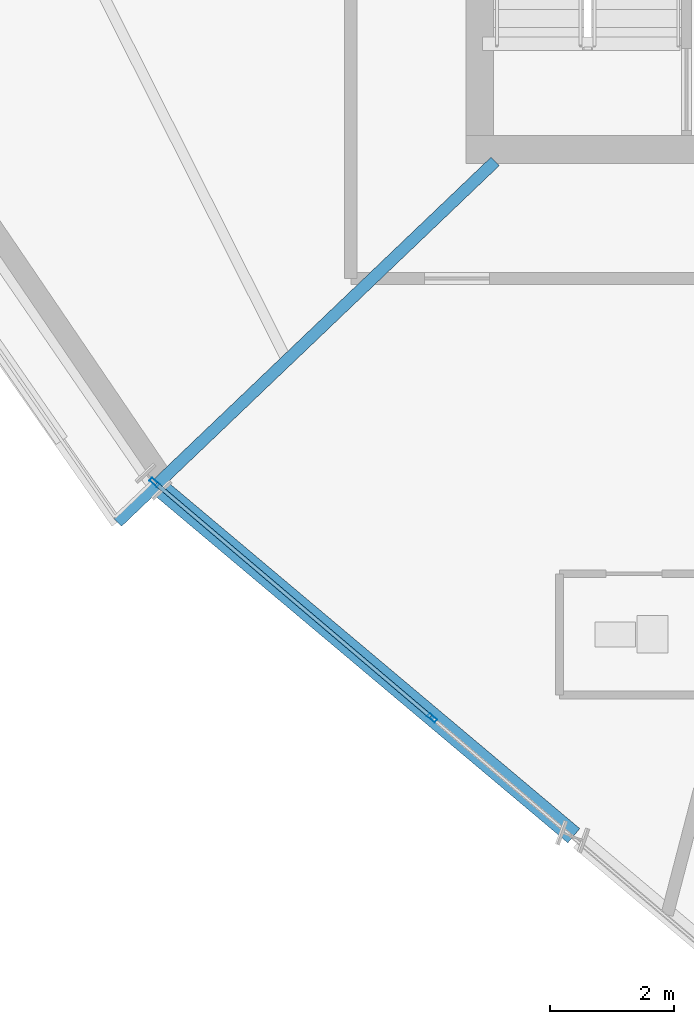
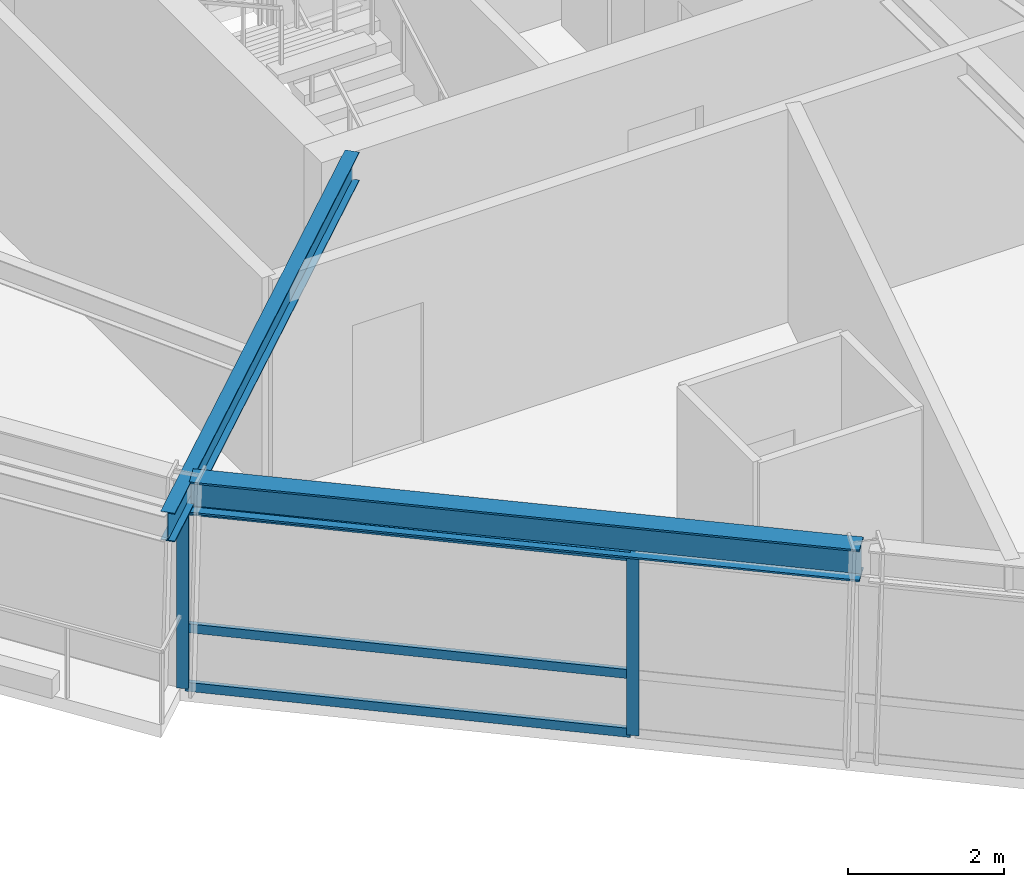
# One storey, part 2 of 15: 5 members, 2 beams, 1 element without a shape of its own.
"""IFC4 building model written with IfcOpenShell, lengths in metres."""

from ifc_helpers import new_model, si_unit, direction, frame, origin, origin_2d, place, context, subcontext, project, spatial, hollow_rectangle, i_section, extrude, source, transform, mapped, material, material_profile, profile_set, type_object, element, aggregate, save


model = new_model("IFC4")

# Units and contexts
model_context = context("Model", 3, precision=1e-05, world=origin(), true_north=direction((0.0, 1.0)))
body_context = subcontext(model_context, "Body", "Model", "MODEL_VIEW")
ifc_project = project(units=[si_unit("LENGTHUNIT", "METRE"), si_unit("AREAUNIT", "SQUARE_METRE"), si_unit("VOLUMEUNIT", "CUBIC_METRE"), si_unit("PLANEANGLEUNIT", "RADIAN"), si_unit("MASSUNIT", "GRAM", prefix="KILO")], contexts=[model_context])

# Site, building, storey
site_placement = place(None, origin())
site = spatial("IfcSite", under=ifc_project, at=site_placement, CompositionType="ELEMENT")
building_placement = place(site_placement, origin())
building = spatial("IfcBuilding", under=site, at=building_placement, Name="Olszyna Solenne Hotel", CompositionType="ELEMENT")
storey_placement = place(building_placement, frame((0.0, 0.0, 213.14990234375)))
storey = spatial("IfcBuildingStorey", under=building, at=storey_placement, Name="L56", CompositionType="ELEMENT", Elevation=213.14990234375)

# Beams
ifc_material_1 = material(Name="Steel S355J2", Category="steel")
ifc_material_profile_1 = material_profile(ifc_material_1, i_section(OverallWidth=0.300048828125, OverallDepth=0.5, WebThickness=0.014404296875, FlangeThickness=0.028076171875, at=origin_2d()), Name="HEB 500", Category="load-bearing")
ifc_profile_set_1 = profile_set([ifc_material_profile_1], Name="Steel S355J2")
beam_type_1 = type_object("IfcBeamType", Name="BM-S3", PredefinedType="BEAM", material=ifc_profile_set_1)
shared_shape_1 = source(origin(), body_context, "Body", "SweptSolid", [
    extrude(i_section(OverallWidth=0.300048828125, OverallDepth=0.5, WebThickness=0.014404296875, FlangeThickness=0.028076171875, at=origin_2d()), origin(), (0.0, 0.0, 1.0), 8.718994140625),
])
beam_1_placement = place(storey_placement, frame((24.7158203125, 13.8427734375, 3.080078125), z_axis=(0.765342336812, -0.643623420552, 0.0), x_axis=(0.643623420552, 0.765342336812, 0.0)))
element("IfcBeam", 1, at=beam_1_placement, inside=storey, type_object=beam_type_1, Name="Perimeter spandrel beam BM-S3 B-L56-1656", PredefinedType="BEAM", context=body_context, shape_type="MappedRepresentation", body=[
    mapped(shared_shape_1, transform((0.0, 0.0, 0.0), x_axis=(1.0, 0.0, 0.0), y_axis=(0.0, 1.0, 0.0), z_axis=(0.0, 0.0, 1.0), scale=1.0)),
])
ifc_material_profile_2 = material_profile(ifc_material_1, i_section(OverallWidth=0.18994140625, OverallDepth=0.449951171875, WebThickness=0.009521484375, FlangeThickness=0.0146484375, at=origin_2d()), Name="IPE 450", Category="load-bearing")
ifc_profile_set_2 = profile_set([ifc_material_profile_2], Name="Steel S355J2")
beam_type_2 = type_object("IfcBeamType", Name="BM-F4", PredefinedType="BEAM", material=ifc_profile_set_2)
shared_shape_2 = source(origin(), body_context, "Body", "SweptSolid", [
    extrude(i_section(OverallWidth=0.18994140625, OverallDepth=0.449951171875, WebThickness=0.009521484375, FlangeThickness=0.0146484375, at=origin_2d()), origin(), (0.0, 0.0, 1.0), 8.40771484375),
])
beam_2_placement = place(storey_placement, frame((24.04248046875, 13.278076171875, 3.10498046875), z_axis=(0.723237531374, 0.690599357958, 0.0), x_axis=(-0.690599357958, 0.723237531374, 0.0)))
element("IfcBeam", 2, at=beam_2_placement, inside=storey, type_object=beam_type_2, Name="Radial floor girder BM-F4 B-L56-1667", PredefinedType="BEAM", context=body_context, shape_type="MappedRepresentation", body=[
    mapped(shared_shape_2, transform((0.0, 0.0, 0.0), x_axis=(1.0, 0.0, 0.0), y_axis=(0.0, 1.0, 0.0), z_axis=(0.0, 0.0, 1.0), scale=1.0)),
])

# Curtain wall, members
ifc_material_2 = material(Name="Anodised bronze aluminium", Category="aluminium")
curtain_wall_type = type_object("IfcCurtainWallType", Name="CW-SYS-4", PredefinedType="NOTDEFINED", material=ifc_material_2)
curtain_wall_placement = place(storey_placement, origin())
curtain_wall = element("IfcCurtainWall", 3, at=curtain_wall_placement, inside=storey, type_object=curtain_wall_type, Name="Unitised curtain wall CW-SYS-4 CW-L56-01", PredefinedType="NOTDEFINED")
ifc_material_profile_3 = material_profile(ifc_material_2, hollow_rectangle(XDim=0.06494140625, YDim=0.159912109375, WallThickness=0.00390625, at=origin_2d()), Name="MULL 160x65x4", Category="load-bearing")
ifc_profile_set_3 = profile_set([ifc_material_profile_3], Name="Anodised bronze aluminium")
member_type_1 = type_object("IfcMemberType", Name="CW-M3", PredefinedType="MULLION", material=ifc_profile_set_3)
shared_shape_3 = source(origin(), body_context, "Body", "SweptSolid", [
    extrude(hollow_rectangle(XDim=0.06494140625, YDim=0.159912109375, WallThickness=0.00390625, at=origin_2d()), origin(), (0.0, 0.0, 1.0), 2.822021484375),
])
member_1_placement = place(storey_placement, frame((24.639404296875, 13.91845703125, 0.0), z_axis=(0.0, 0.0, 1.0), x_axis=(0.646961302327, 0.762522834603, 0.0)))
member_1 = element("IfcMember", 4, at=member_1_placement, type_object=member_type_1, Name="Curtain-wall mullion CW-M3 CM-L56-01-01", PredefinedType="MULLION", context=body_context, shape_type="MappedRepresentation", body=[
    mapped(shared_shape_3, transform((0.0, 0.0, 0.0), x_axis=(1.0, 0.0, 0.0), y_axis=(0.0, 1.0, 0.0), z_axis=(0.0, 0.0, 1.0), scale=1.0)),
])
member_2_placement = place(storey_placement, frame((29.10791015625, 10.127197265625, 0.0), z_axis=(0.0, 0.0, 1.0), x_axis=(0.646961302327, 0.762522834603, 0.0)))
member_2 = element("IfcMember", 5, at=member_2_placement, type_object=member_type_1, Name="Curtain-wall mullion CW-M3 CM-L56-01-02", PredefinedType="MULLION", context=body_context, shape_type="MappedRepresentation", body=[
    mapped(shared_shape_3, transform((0.0, 0.0, 0.0), x_axis=(1.0, 0.0, 0.0), y_axis=(0.0, 1.0, 0.0), z_axis=(0.0, 0.0, 1.0), scale=1.0)),
])
ifc_material_profile_4 = material_profile(ifc_material_2, hollow_rectangle(XDim=0.06494140625, YDim=0.139892578125, WallThickness=0.00390625, at=origin_2d()), Name="TRAN 140x65x4", Category="load-bearing")
ifc_profile_set_4 = profile_set([ifc_material_profile_4], Name="Anodised bronze aluminium")
member_type_2 = type_object("IfcMemberType", Name="CW-T2", PredefinedType="USERDEFINED", material=ifc_profile_set_4)
shared_shape_4 = source(origin(), body_context, "Body", "SweptSolid", [
    extrude(hollow_rectangle(XDim=0.06494140625, YDim=0.139892578125, WallThickness=0.00390625, at=origin_2d()), origin(), (0.0, 0.0, 1.0), 5.795166015625),
])
member_3_placement = place(storey_placement, frame((24.664306640625, 13.8974609375, 0.03271484375), z_axis=(0.762521101191, -0.646963345359, 0.0), x_axis=(0.646963345359, 0.762521101191, 0.0)))
member_3 = element("IfcMember", 6, at=member_3_placement, type_object=member_type_2, Name="Curtain-wall transom CW-T2 CT-L56-01-01", ObjectType="TRANSOM", PredefinedType="USERDEFINED", context=body_context, shape_type="MappedRepresentation", body=[
    mapped(shared_shape_4, transform((0.0, 0.0, 0.0), x_axis=(1.0, 0.0, 0.0), y_axis=(0.0, 1.0, 0.0), z_axis=(0.0, 0.0, 1.0), scale=1.0)),
])
member_4_placement = place(storey_placement, frame((24.664306640625, 13.8974609375, 0.9501953125), z_axis=(0.762521101191, -0.646963345359, 0.0), x_axis=(0.646963345359, 0.762521101191, 0.0)))
member_4 = element("IfcMember", 7, at=member_4_placement, type_object=member_type_2, Name="Curtain-wall transom CW-T2 CT-L56-01-02", ObjectType="TRANSOM", PredefinedType="USERDEFINED", context=body_context, shape_type="MappedRepresentation", body=[
    mapped(shared_shape_4, transform((0.0, 0.0, 0.0), x_axis=(1.0, 0.0, 0.0), y_axis=(0.0, 1.0, 0.0), z_axis=(0.0, 0.0, 1.0), scale=1.0)),
])
member_5_placement = place(storey_placement, frame((24.664306640625, 13.8974609375, 2.78955078125), z_axis=(0.762521101191, -0.646963345359, 0.0), x_axis=(0.646963345359, 0.762521101191, 0.0)))
member_5 = element("IfcMember", 8, at=member_5_placement, type_object=member_type_2, Name="Curtain-wall transom CW-T2 CT-L56-01-03", ObjectType="TRANSOM", PredefinedType="USERDEFINED", context=body_context, shape_type="MappedRepresentation", body=[
    mapped(shared_shape_4, transform((0.0, 0.0, 0.0), x_axis=(1.0, 0.0, 0.0), y_axis=(0.0, 1.0, 0.0), z_axis=(0.0, 0.0, 1.0), scale=1.0)),
])
aggregate(curtain_wall, [member_1, member_2, member_3, member_4, member_5])

save(model, "model.ifc")
